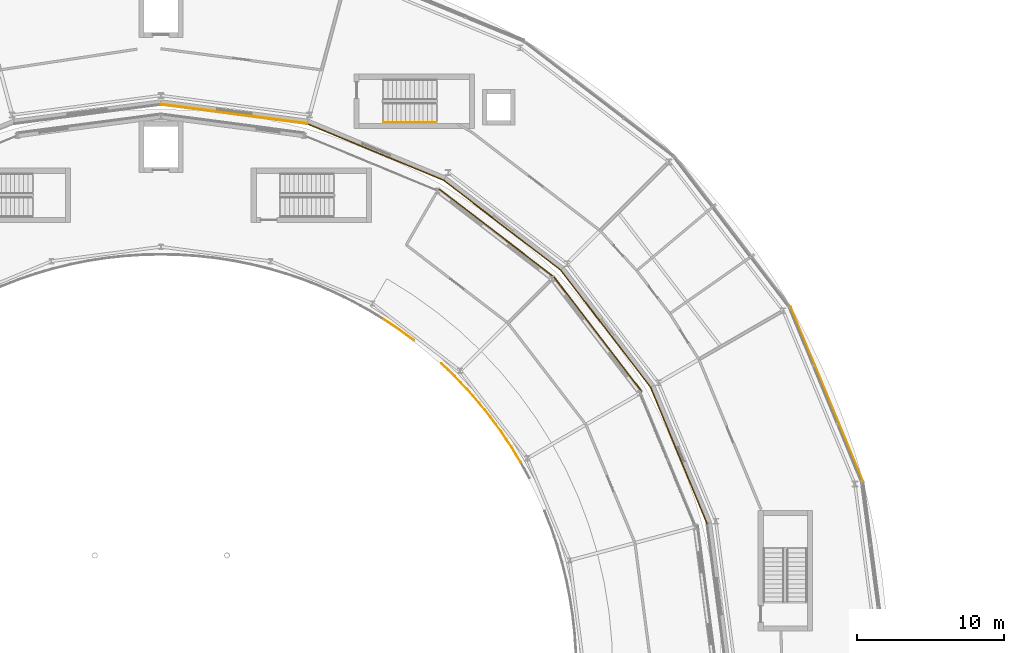
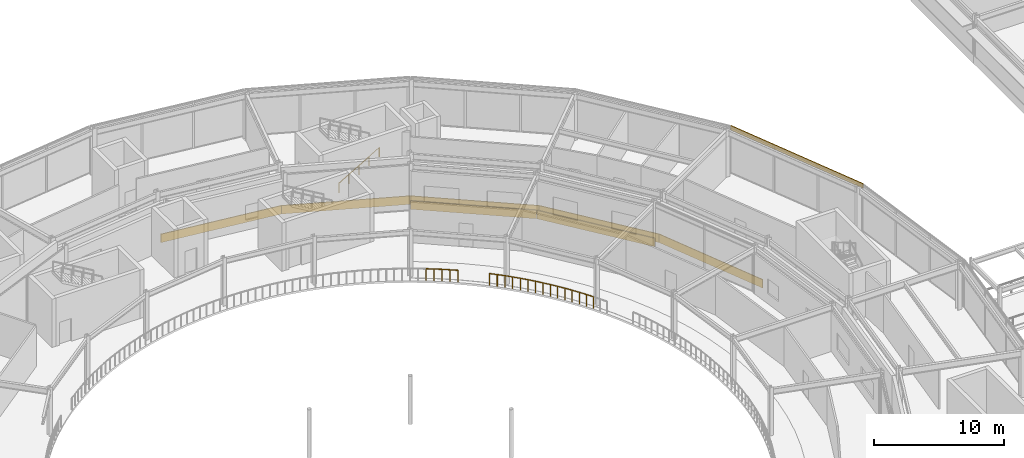
# One storey, part 150 of 157: 10 railings, 8 coverings.
"""IFC4 building model written with IfcOpenShell, lengths in metres."""

from ifc_helpers import new_model, si_unit, direction, frame, origin, origin_2d, place, context, subcontext, project, spatial, rectangle, circle, extrude, material, layer, layer_set, type_object, element, save


model = new_model("IFC4")

# Units and contexts
model_context = context("Model", 3, precision=1e-05, world=origin(), true_north=direction((0.0, 1.0)))
body_context = subcontext(model_context, "Body", "Model", "MODEL_VIEW")
ifc_project = project(units=[si_unit("LENGTHUNIT", "METRE"), si_unit("AREAUNIT", "SQUARE_METRE"), si_unit("VOLUMEUNIT", "CUBIC_METRE"), si_unit("PLANEANGLEUNIT", "RADIAN"), si_unit("MASSUNIT", "GRAM", prefix="KILO")], contexts=[model_context])

# Site, building, storey
site_placement = place(None, origin())
site = spatial("IfcSite", under=ifc_project, at=site_placement, CompositionType="ELEMENT")
building_placement = place(site_placement, origin())
building = spatial("IfcBuilding", under=site, at=building_placement, Name="Almandine Court Research Institute", CompositionType="ELEMENT")
storey_placement = place(building_placement, frame((0.0, 0.0, 5.25)))
storey = spatial("IfcBuildingStorey", under=building, at=storey_placement, Name="L01", CompositionType="ELEMENT", Elevation=5.25)

# Coverings
ifc_material_1 = material(Name="Honed Andean Red-Buff Sandstone Cladding", Category="masonry")
ifc_layer_1 = layer(ifc_material_1, 0.06494140625)
ifc_layer_set_1 = layer_set([ifc_layer_1], Name="Honed Andean Red-Buff Sandstone Cladding")
covering_type_1 = type_object("IfcCoveringType", Name="Cov-CLAD-SAND", PredefinedType="CLADDING", material=ifc_layer_set_1)
for number, where, z_axis, x_axis, name in (
    (1, (122.25, 70.60107421875, 0.02001953125), (0.0, 0.0, 1.0), (-0.382683432365, 0.923879532511, 0.0), "L01 Facade Spandrel Cladding Band 305"),
    (2, (117.27001953125, 79.22705078125, 0.02001953125), (0.0, 0.0, 1.0), (-0.608761429009, 0.793353340291, 0.0), "L01 Facade Spandrel Cladding Band 307"),
    (3, (110.22705078125, 86.27001953125, 0.02001953125), (0.0, 0.0, 1.0), (-0.793353340291, 0.608761429009, 0.0), "L01 Facade Spandrel Cladding Band 309"),
    (4, (101.60107421875, 91.25, 0.02001953125), (0.0, 0.0, 1.0), (-0.923879532511, 0.382683432365, 0.0), "L01 Facade Spandrel Cladding Band 311"),
    (5, (91.97998046875, 93.827880859375, 0.02001953125), (0.0, 0.0, 1.0), (-0.991444861374, 0.13052619222, 0.0), "L01 Facade Spandrel Cladding Band 313"),
):
    element("IfcCovering", number, at=place(storey_placement, frame(where, z_axis=z_axis, x_axis=x_axis)), inside=storey, type_object=covering_type_1, Name=name, PredefinedType="CLADDING", context=body_context, shape_type="SweptSolid", body=[
        extrude(rectangle(XDim=10.080078125, YDim=0.06494140625, at=origin_2d()), origin(), (0.0, 0.0, 1.0), 0.800048828125),
    ])
for number, where, z_axis, x_axis, name in (
    (6, (116.7529296875, 78.830078125, 0.02001953125), (0.0, 0.0, 1.0), (0.608761429009, -0.793353340291, 0.0), "L01 Facade Spandrel Cladding Band 444"),
    (7, (109.830078125, 85.7529296875, 0.02001953125), (0.0, 0.0, 1.0), (0.793353340291, -0.608761429009, 0.0), "L01 Facade Spandrel Cladding Band 445"),
):
    element("IfcCovering", number, at=place(storey_placement, frame(where, z_axis=z_axis, x_axis=x_axis)), inside=storey, type_object=covering_type_1, Name=name, PredefinedType="CLADDING", context=body_context, shape_type="SweptSolid", body=[
        extrude(rectangle(XDim=9.820068359375, YDim=0.06494140625, at=origin_2d()), origin(), (0.0, 0.0, 1.0), 0.800048828125),
    ])
ifc_material_2 = material(Name="Extruded Cream-Ochre Seismic Terracotta Spandrel", Category="masonry")
ifc_layer_2 = layer(ifc_material_2, 0.054931640625)
ifc_layer_set_2 = layer_set([ifc_layer_2], Name="Extruded Cream-Ochre Seismic Terracotta Spandrel")
covering_type_2 = type_object("IfcCoveringType", Name="Cov-CLAD-TERR", PredefinedType="CLADDING", material=ifc_layer_set_2)
covering_placement = place(storey_placement, frame((132.323974609375, 74.77392578125, 3.97998046875), z_axis=(0.0, 0.0, 1.0), x_axis=(0.382683432365, -0.923879532511, 0.0)))
element("IfcCovering", 8, at=covering_placement, inside=storey, type_object=covering_type_2, Name="L01 Drum Stacked Terracotta Ring Band 01", PredefinedType="CLADDING", context=body_context, shape_type="SweptSolid", body=[
    extrude(rectangle(XDim=12.8779296875, YDim=0.054931640625, at=origin_2d()), origin(), (0.0, 0.0, 1.0), 0.419921875),
])

# Railings
ifc_material_3 = material(Name="Powder-Coated Steel Stair and Atrium Balustrade", Category="steel")
railing_type_1 = type_object("IfcRailingType", Name="Rail-GUARD-INT", PredefinedType="BALUSTRADE", material=ifc_material_3)
railing_1_placement = place(storey_placement, frame((111.490966796875, 70.139892578125, 0.0)))
element("IfcRailing", 9, at=railing_1_placement, inside=storey, type_object=railing_type_1, Name="L01 Atrium Gallery Void Balustrade 025", PredefinedType="BALUSTRADE", context=body_context, shape_type="SweptSolid", body=[
    extrude(circle(Radius=0.02392578125, at=origin_2d()), frame((0.0, 0.0, 1.09619140625), z_axis=(-0.518534080516, 0.855056961461, 0.0), x_axis=(-0.855056961461, -0.518534080516, 0.0)), (0.0, 0.0, 1.0), 1.234130859375),
    extrude(circle(Radius=0.02099609375, at=origin_2d()), origin(), (0.0, 0.0, 1.0), 1.072021484375),
    extrude(circle(Radius=0.02099609375, at=origin_2d()), frame((-0.31982421875, 0.527587890625, 0.0)), (0.0, 0.0, 1.0), 1.072021484375),
    extrude(circle(Radius=0.02099609375, at=origin_2d()), frame((-0.639892578125, 1.05517578125, 0.0)), (0.0, 0.0, 1.0), 1.072021484375),
])
railing_2_placement = place(storey_placement, frame((110.85107421875, 71.195068359375, 0.0)))
element("IfcRailing", 10, at=railing_2_placement, inside=storey, type_object=railing_type_1, Name="L01 Atrium Gallery Void Balustrade 026", PredefinedType="BALUSTRADE", context=body_context, shape_type="SweptSolid", body=[
    extrude(circle(Radius=0.02392578125, at=origin_2d()), frame((0.0, 0.0, 1.09619140625), z_axis=(-0.555339438556, 0.831623777909, 0.0), x_axis=(-0.831623777909, -0.555339438556, 0.0)), (0.0, 0.0, 1.0), 1.233642578125),
    extrude(circle(Radius=0.02099609375, at=origin_2d()), origin(), (0.0, 0.0, 1.0), 1.072021484375),
    extrude(circle(Radius=0.02099609375, at=origin_2d()), frame((-0.342529296875, 0.512939453125, 0.0)), (0.0, 0.0, 1.0), 1.072021484375),
    extrude(circle(Radius=0.02099609375, at=origin_2d()), frame((-0.68505859375, 1.02587890625, 0.0)), (0.0, 0.0, 1.0), 1.072021484375),
])
railing_3_placement = place(storey_placement, frame((110.166015625, 72.220947265625, 0.0)))
element("IfcRailing", 11, at=railing_3_placement, inside=storey, type_object=railing_type_1, Name="L01 Atrium Gallery Void Balustrade 027", PredefinedType="BALUSTRADE", context=body_context, shape_type="SweptSolid", body=[
    extrude(circle(Radius=0.02392578125, at=origin_2d()), frame((0.0, 0.0, 1.09619140625), z_axis=(-0.591483721625, 0.80631693958, 0.0), x_axis=(-0.80631693958, -0.591483721625, 0.0)), (0.0, 0.0, 1.0), 1.234130859375),
    extrude(circle(Radius=0.02099609375, at=origin_2d()), origin(), (0.0, 0.0, 1.0), 1.072021484375),
    extrude(circle(Radius=0.02099609375, at=origin_2d()), frame((-0.364990234375, 0.49755859375, 0.0)), (0.0, 0.0, 1.0), 1.072021484375),
    extrude(circle(Radius=0.02099609375, at=origin_2d()), frame((-0.72998046875, 0.9951171875, 0.0)), (0.0, 0.0, 1.0), 1.072021484375),
])
railing_4_placement = place(storey_placement, frame((109.43603515625, 73.216064453125, 0.0)))
element("IfcRailing", 12, at=railing_4_placement, inside=storey, type_object=railing_type_1, Name="L01 Atrium Gallery Void Balustrade 028", PredefinedType="BALUSTRADE", context=body_context, shape_type="SweptSolid", body=[
    extrude(circle(Radius=0.02392578125, at=origin_2d()), frame((0.0, 0.0, 1.09619140625), z_axis=(-0.625901281456, 0.779902292516, 0.0), x_axis=(-0.779902292516, -0.625901281456, 0.0)), (0.0, 0.0, 1.0), 1.2333984375),
    extrude(circle(Radius=0.02099609375, at=origin_2d()), origin(), (0.0, 0.0, 1.0), 1.072021484375),
    extrude(circle(Radius=0.02099609375, at=origin_2d()), frame((-0.385986328125, 0.48095703125, 0.0)), (0.0, 0.0, 1.0), 1.072021484375),
    extrude(circle(Radius=0.02099609375, at=origin_2d()), frame((-0.77197265625, 0.9619140625, 0.0)), (0.0, 0.0, 1.0), 1.072021484375),
])
railing_5_placement = place(storey_placement, frame((108.6640625, 74.177978515625, 0.0)))
element("IfcRailing", 13, at=railing_5_placement, inside=storey, type_object=railing_type_1, Name="L01 Atrium Gallery Void Balustrade 029", PredefinedType="BALUSTRADE", context=body_context, shape_type="SweptSolid", body=[
    extrude(circle(Radius=0.02392578125, at=origin_2d()), frame((0.0, 0.0, 1.09619140625), z_axis=(-0.659414286109, 0.751779754499, 0.0), x_axis=(-0.751779754499, -0.659414286109, 0.0)), (0.0, 0.0, 1.0), 1.234375),
    extrude(circle(Radius=0.02099609375, at=origin_2d()), origin(), (0.0, 0.0, 1.0), 1.072021484375),
    extrude(circle(Radius=0.02099609375, at=origin_2d()), frame((-0.406982421875, 0.4638671875, 0.0)), (0.0, 0.0, 1.0), 1.072021484375),
    extrude(circle(Radius=0.02099609375, at=origin_2d()), frame((-0.81396484375, 0.927978515625, 0.0)), (0.0, 0.0, 1.0), 1.072021484375),
])
railing_6_placement = place(storey_placement, frame((107.85009765625, 75.10595703125, 0.0)))
element("IfcRailing", 14, at=railing_6_placement, inside=storey, type_object=railing_type_1, Name="L01 Atrium Gallery Void Balustrade 030", PredefinedType="BALUSTRADE", context=body_context, shape_type="SweptSolid", body=[
    extrude(circle(Radius=0.02392578125, at=origin_2d()), frame((0.0, 0.0, 1.09619140625), z_axis=(-0.691501193958, 0.7223753171, 0.0), x_axis=(-0.7223753171, -0.691501193958, 0.0)), (0.0, 0.0, 1.0), 1.233642578125),
    extrude(circle(Radius=0.02099609375, at=origin_2d()), origin(), (0.0, 0.0, 1.0), 1.072021484375),
    extrude(circle(Radius=0.02099609375, at=origin_2d()), frame((-0.426513671875, 0.445556640625, 0.0)), (0.0, 0.0, 1.0), 1.072021484375),
    extrude(circle(Radius=0.02099609375, at=origin_2d()), frame((-0.85302734375, 0.89111328125, 0.0)), (0.0, 0.0, 1.0), 1.072021484375),
])
railing_7_placement = place(storey_placement, frame((106.9970703125, 75.9970703125, 0.0)))
element("IfcRailing", 15, at=railing_7_placement, inside=storey, type_object=railing_type_1, Name="L01 Atrium Gallery Void Balustrade 031", PredefinedType="BALUSTRADE", context=body_context, shape_type="SweptSolid", body=[
    extrude(circle(Radius=0.02392578125, at=origin_2d()), frame((0.0, 0.0, 1.09619140625), z_axis=(-0.7223753171, 0.691501193958, 0.0), x_axis=(-0.691501193958, -0.7223753171, 0.0)), (0.0, 0.0, 1.0), 1.233642578125),
    extrude(circle(Radius=0.02099609375, at=origin_2d()), origin(), (0.0, 0.0, 1.0), 1.072021484375),
    extrude(circle(Radius=0.02099609375, at=origin_2d()), frame((-0.445556640625, 0.426513671875, 0.0)), (0.0, 0.0, 1.0), 1.072021484375),
    extrude(circle(Radius=0.02099609375, at=origin_2d()), frame((-0.89111328125, 0.85302734375, 0.0)), (0.0, 0.0, 1.0), 1.072021484375),
])
railing_8_placement = place(storey_placement, frame((104.216064453125, 78.43603515625, 0.0)))
element("IfcRailing", 16, at=railing_8_placement, inside=storey, type_object=railing_type_1, Name="L01 Atrium Gallery Void Balustrade 034", PredefinedType="BALUSTRADE", context=body_context, shape_type="SweptSolid", body=[
    extrude(circle(Radius=0.02392578125, at=origin_2d()), frame((0.0, 0.0, 1.09619140625), z_axis=(-0.80631693958, 0.591483721625, 0.0), x_axis=(-0.591483721625, -0.80631693958, 0.0)), (0.0, 0.0, 1.0), 1.234130859375),
    extrude(circle(Radius=0.02099609375, at=origin_2d()), origin(), (0.0, 0.0, 1.0), 1.072021484375),
    extrude(circle(Radius=0.02099609375, at=origin_2d()), frame((-0.49755859375, 0.364990234375, 0.0)), (0.0, 0.0, 1.0), 1.072021484375),
    extrude(circle(Radius=0.02099609375, at=origin_2d()), frame((-0.9951171875, 0.72998046875, 0.0)), (0.0, 0.0, 1.0), 1.072021484375),
])
railing_9_placement = place(storey_placement, frame((103.220947265625, 79.166015625, 0.0)))
element("IfcRailing", 17, at=railing_9_placement, inside=storey, type_object=railing_type_1, Name="L01 Atrium Gallery Void Balustrade 035", PredefinedType="BALUSTRADE", context=body_context, shape_type="SweptSolid", body=[
    extrude(circle(Radius=0.02392578125, at=origin_2d()), frame((0.0, 0.0, 1.09619140625), z_axis=(-0.831623777909, 0.555339438556, 0.0), x_axis=(-0.555339438556, -0.831623777909, 0.0)), (0.0, 0.0, 1.0), 1.233642578125),
    extrude(circle(Radius=0.02099609375, at=origin_2d()), origin(), (0.0, 0.0, 1.0), 1.072021484375),
    extrude(circle(Radius=0.02099609375, at=origin_2d()), frame((-0.512939453125, 0.342529296875, 0.0)), (0.0, 0.0, 1.0), 1.072021484375),
    extrude(circle(Radius=0.02099609375, at=origin_2d()), frame((-1.02587890625, 0.68505859375, 0.0)), (0.0, 0.0, 1.0), 1.072021484375),
])
ifc_material_4 = material(Name="Brushed Stainless Steel Wall Handrail", Category="steel")
railing_type_2 = type_object("IfcRailingType", Name="Rail-HAND-INT", PredefinedType="HANDRAIL", material=ifc_material_4)
railing_10_placement = place(storey_placement, frame((102.14990234375, 93.25, 0.175048828125)))
element("IfcRailing", 18, at=railing_10_placement, inside=storey, type_object=railing_type_2, Name="L01 ST-09 stair handrail 1", PredefinedType="HANDRAIL", context=body_context, shape_type="SweptSolid", body=[
    extrude(circle(Radius=0.02392578125, at=origin_2d()), frame((0.0, 0.0, 0.8759765625), z_axis=(0.863800146258, 0.0, 0.503834603144), x_axis=(0.0, 1.0, 0.0)), (0.0, 0.0, 1.0), 4.167724609375),
    extrude(circle(Radius=0.02099609375, at=origin_2d()), origin(), (0.0, 0.0, 1.0), 0.851806640625),
    extrude(circle(Radius=0.02099609375, at=origin_2d()), frame((0.89990234375, 0.0, 0.52490234375)), (0.0, 0.0, 1.0), 0.851806640625),
    extrude(circle(Radius=0.02099609375, at=origin_2d()), frame((1.800048828125, 0.0, 1.0498046875)), (0.0, 0.0, 1.0), 0.851806640625),
    extrude(circle(Radius=0.02099609375, at=origin_2d()), frame((2.7001953125, 0.0, 1.574951171875)), (0.0, 0.0, 1.0), 0.851806640625),
    extrude(circle(Radius=0.02099609375, at=origin_2d()), frame((3.60009765625, 0.0, 2.099853515625)), (0.0, 0.0, 1.0), 0.851806640625),
])

save(model, "model.ifc")
